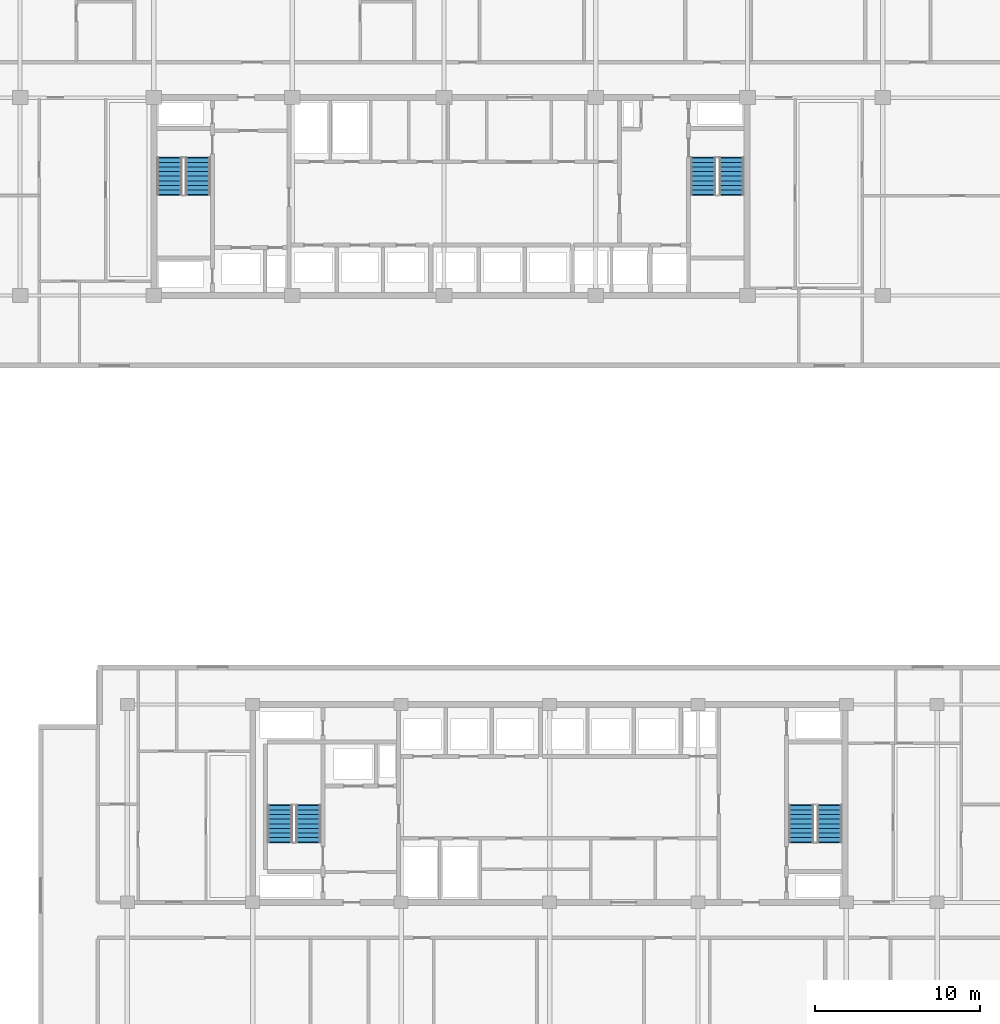
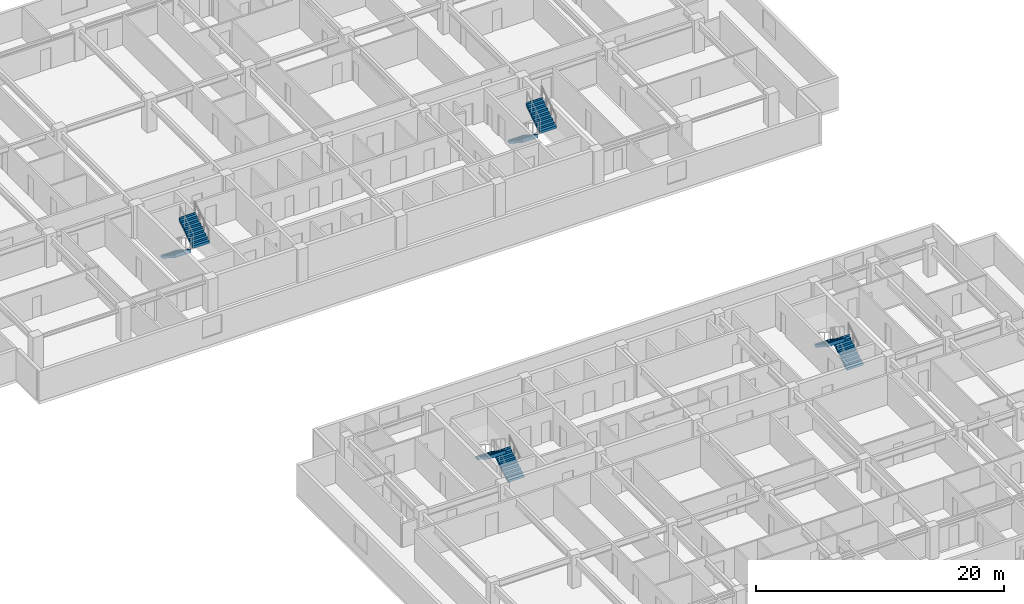
# One storey, part 17 of 22: 8 stair flights, 4 elements without a shape of their own.
"""IFC4 building model written with IfcOpenShell, lengths in metres."""

from ifc_helpers import new_model, si_unit, direction, frame, origin, place, context, subcontext, project, spatial, polyline, outline, extrude, material, type_object, element, aggregate, save


model = new_model("IFC4")

# Units and contexts
model_context = context("Model", 3, precision=1e-05, world=origin(), true_north=direction((0.0, 1.0)))
body_context = subcontext(model_context, "Body", "Model", "MODEL_VIEW")
ifc_project = project(units=[si_unit("LENGTHUNIT", "METRE"), si_unit("AREAUNIT", "SQUARE_METRE"), si_unit("VOLUMEUNIT", "CUBIC_METRE"), si_unit("PLANEANGLEUNIT", "RADIAN"), si_unit("MASSUNIT", "GRAM", prefix="KILO")], contexts=[model_context])

# Site, building, storey
site_placement = place(None, origin())
site = spatial("IfcSite", under=ifc_project, at=site_placement, CompositionType="ELEMENT")
building_placement = place(site_placement, origin())
building = spatial("IfcBuilding", under=site, at=building_placement, Name="Korimba Cascade Residences", CompositionType="ELEMENT")
storey_placement = place(building_placement, frame((0.0, 0.0, 90.550048828125)))
storey = spatial("IfcBuildingStorey", under=building, at=storey_placement, Name="L25", CompositionType="ELEMENT", Elevation=90.550048828125)

# Stair, stair flights
ifc_material = material(Name="Concrete C50/60", Category="concrete")
stair_type_1 = type_object("IfcStairType", Name="STR-W1-18R-1806", PredefinedType="HALF_TURN_STAIR", material=ifc_material)
stair_1_placement = place(storey_placement, origin())
stair_1 = element("IfcStair", 1, at=stair_1_placement, inside=storey, type_object=stair_type_1, Name="L25 Tower 1 West Fire Stair ST-W1", PredefinedType="HALF_TURN_STAIR")
stair_flight_type = type_object("IfcStairFlightType", Name="STF-DL-18R-1806-1520", PredefinedType="STRAIGHT", material=ifc_material)
stair_flight_1_placement = place(storey_placement, frame((77.06005859375, 63.550048828125, 0.0), z_axis=(0.0, 0.0, 1.0), x_axis=(0.0, -1.0, 0.0)))
stair_flight_1 = element("IfcStairFlight", 2, at=stair_flight_1_placement, type_object=stair_flight_type, Name="ST-W1 flight 1", NumberOfRisers=9, NumberOfTreads=8, PredefinedType="STRAIGHT", RiserHeight=0.180555556, TreadLength=0.28, context=body_context, shape_type="SweptSolid", body=[
    extrude(outline(polyline([(-0.0380859375, 0.0), (0.0, 0.1806640625), (0.280029296875, 0.1806640625), (0.280029296875, 0.361083984375), (0.56005859375, 0.361083984375), (0.56005859375, 0.541748046875), (0.840087890625, 0.541748046875), (0.840087890625, 0.72216796875), (1.1201171875, 0.72216796875), (1.1201171875, 0.90283203125), (1.39990234375, 0.90283203125), (1.39990234375, 1.083251953125), (1.679931640625, 1.083251953125), (1.679931640625, 1.263916015625), (1.9599609375, 1.263916015625), (1.9599609375, 1.4443359375), (2.239990234375, 1.4443359375), (2.239990234375, 1.625), (2.278076171875, 1.625), (2.278076171875, 1.26611328125), (0.276611328125, 0.0), (0.276611328125, -0.0380859375), (-0.0380859375, -0.0380859375), (-0.0380859375, 0.0)])), frame((0.0, 0.760009765625, 0.0), z_axis=(0.0, -1.0, 0.0), x_axis=(1.0, 0.0, 0.0)), (0.0, 0.0, 1.0), 1.52001953125),
])
stair_flight_2_placement = place(storey_placement, frame((78.780029296875, 61.31005859375, 1.625), z_axis=(0.0, 0.0, 1.0), x_axis=(0.0, 1.0, 0.0)))
stair_flight_2 = element("IfcStairFlight", 3, at=stair_flight_2_placement, type_object=stair_flight_type, Name="ST-W1 flight 2", NumberOfRisers=9, NumberOfTreads=8, PredefinedType="STRAIGHT", RiserHeight=0.180555556, TreadLength=0.28, context=body_context, shape_type="SweptSolid", body=[
    extrude(outline(polyline([(-0.0380859375, 0.0), (0.0, 0.1806640625), (0.280029296875, 0.1806640625), (0.280029296875, 0.361083984375), (0.56005859375, 0.361083984375), (0.56005859375, 0.541748046875), (0.840087890625, 0.541748046875), (0.840087890625, 0.72216796875), (1.1201171875, 0.72216796875), (1.1201171875, 0.90283203125), (1.39990234375, 0.90283203125), (1.39990234375, 1.083251953125), (1.679931640625, 1.083251953125), (1.679931640625, 1.263916015625), (1.9599609375, 1.263916015625), (1.9599609375, 1.4443359375), (2.239990234375, 1.4443359375), (2.239990234375, 1.625), (2.278076171875, 1.625), (2.278076171875, 1.26611328125), (0.276611328125, 0.0), (0.276611328125, -0.0380859375), (-0.0380859375, -0.0380859375), (-0.0380859375, 0.0)])), frame((0.0, 0.760009765625, 0.0), z_axis=(0.0, -1.0, 0.0), x_axis=(1.0, 0.0, 0.0)), (0.0, 0.0, 1.0), 1.52001953125),
])
aggregate(stair_1, [stair_flight_1, stair_flight_2])

stair_type_2 = type_object("IfcStairType", Name="STR-W2-18R-1806", PredefinedType="HALF_TURN_STAIR", material=ifc_material)
stair_2_placement = place(storey_placement, origin())
stair_2 = element("IfcStair", 4, at=stair_2_placement, inside=storey, type_object=stair_type_2, Name="L25 Tower 1 East Fire Stair ST-W2", PredefinedType="HALF_TURN_STAIR")
stair_flight_3_placement = place(storey_placement, frame((109.419921875, 63.550048828125, 0.0), z_axis=(0.0, 0.0, 1.0), x_axis=(0.0, -1.0, 0.0)))
stair_flight_3 = element("IfcStairFlight", 5, at=stair_flight_3_placement, type_object=stair_flight_type, Name="ST-W2 flight 1", NumberOfRisers=9, NumberOfTreads=8, PredefinedType="STRAIGHT", RiserHeight=0.180555556, TreadLength=0.28, context=body_context, shape_type="SweptSolid", body=[
    extrude(outline(polyline([(-0.0380859375, 0.0), (0.0, 0.1806640625), (0.280029296875, 0.1806640625), (0.280029296875, 0.361083984375), (0.56005859375, 0.361083984375), (0.56005859375, 0.541748046875), (0.840087890625, 0.541748046875), (0.840087890625, 0.72216796875), (1.1201171875, 0.72216796875), (1.1201171875, 0.90283203125), (1.39990234375, 0.90283203125), (1.39990234375, 1.083251953125), (1.679931640625, 1.083251953125), (1.679931640625, 1.263916015625), (1.9599609375, 1.263916015625), (1.9599609375, 1.4443359375), (2.239990234375, 1.4443359375), (2.239990234375, 1.625), (2.278076171875, 1.625), (2.278076171875, 1.26611328125), (0.276611328125, 0.0), (0.276611328125, -0.0380859375), (-0.0380859375, -0.0380859375), (-0.0380859375, 0.0)])), frame((0.0, 0.760009765625, 0.0), z_axis=(0.0, -1.0, 0.0), x_axis=(1.0, 0.0, 0.0)), (0.0, 0.0, 1.0), 1.52001953125),
])
stair_flight_4_placement = place(storey_placement, frame((111.139892578125, 61.31005859375, 1.625), z_axis=(0.0, 0.0, 1.0), x_axis=(0.0, 1.0, 0.0)))
stair_flight_4 = element("IfcStairFlight", 6, at=stair_flight_4_placement, type_object=stair_flight_type, Name="ST-W2 flight 2", NumberOfRisers=9, NumberOfTreads=8, PredefinedType="STRAIGHT", RiserHeight=0.180555556, TreadLength=0.28, context=body_context, shape_type="SweptSolid", body=[
    extrude(outline(polyline([(-0.0380859375, 0.0), (0.0, 0.1806640625), (0.280029296875, 0.1806640625), (0.280029296875, 0.361083984375), (0.56005859375, 0.361083984375), (0.56005859375, 0.541748046875), (0.840087890625, 0.541748046875), (0.840087890625, 0.72216796875), (1.1201171875, 0.72216796875), (1.1201171875, 0.90283203125), (1.39990234375, 0.90283203125), (1.39990234375, 1.083251953125), (1.679931640625, 1.083251953125), (1.679931640625, 1.263916015625), (1.9599609375, 1.263916015625), (1.9599609375, 1.4443359375), (2.239990234375, 1.4443359375), (2.239990234375, 1.625), (2.278076171875, 1.625), (2.278076171875, 1.26611328125), (0.276611328125, 0.0), (0.276611328125, -0.0380859375), (-0.0380859375, -0.0380859375), (-0.0380859375, 0.0)])), frame((0.0, 0.760009765625, 0.0), z_axis=(0.0, -1.0, 0.0), x_axis=(1.0, 0.0, 0.0)), (0.0, 0.0, 1.0), 1.52001953125),
])
aggregate(stair_2, [stair_flight_3, stair_flight_4])

stair_type_3 = type_object("IfcStairType", Name="STR-E1-18R-1806", PredefinedType="HALF_TURN_STAIR", material=ifc_material)
stair_3_placement = place(storey_placement, origin())
stair_3 = element("IfcStair", 7, at=stair_3_placement, inside=storey, type_object=stair_type_3, Name="L25 Tower 2 West Fire Stair ST-E1", PredefinedType="HALF_TURN_STAIR")
stair_flight_5_placement = place(storey_placement, frame((85.47998046875, 22.050048828125, 0.0), z_axis=(0.0, 0.0, 1.0), x_axis=(0.0, 1.0, 0.0)))
stair_flight_5 = element("IfcStairFlight", 8, at=stair_flight_5_placement, type_object=stair_flight_type, Name="ST-E1 flight 1", NumberOfRisers=9, NumberOfTreads=8, PredefinedType="STRAIGHT", RiserHeight=0.180555556, TreadLength=0.28, context=body_context, shape_type="SweptSolid", body=[
    extrude(outline(polyline([(-0.0380859375, 0.0), (0.0, 0.1806640625), (0.280029296875, 0.1806640625), (0.280029296875, 0.361083984375), (0.56005859375, 0.361083984375), (0.56005859375, 0.541748046875), (0.840087890625, 0.541748046875), (0.840087890625, 0.72216796875), (1.1201171875, 0.72216796875), (1.1201171875, 0.90283203125), (1.39990234375, 0.90283203125), (1.39990234375, 1.083251953125), (1.679931640625, 1.083251953125), (1.679931640625, 1.263916015625), (1.9599609375, 1.263916015625), (1.9599609375, 1.4443359375), (2.239990234375, 1.4443359375), (2.239990234375, 1.625), (2.278076171875, 1.625), (2.278076171875, 1.26611328125), (0.276611328125, 0.0), (0.276611328125, -0.0380859375), (-0.0380859375, -0.0380859375), (-0.0380859375, 0.0)])), frame((0.0, 0.760009765625, 0.0), z_axis=(0.0, -1.0, 0.0), x_axis=(1.0, 0.0, 0.0)), (0.0, 0.0, 1.0), 1.52001953125),
])
stair_flight_6_placement = place(storey_placement, frame((83.760009765625, 24.2900390625, 1.625), z_axis=(0.0, 0.0, 1.0), x_axis=(0.0, -1.0, 0.0)))
stair_flight_6 = element("IfcStairFlight", 9, at=stair_flight_6_placement, type_object=stair_flight_type, Name="ST-E1 flight 2", NumberOfRisers=9, NumberOfTreads=8, PredefinedType="STRAIGHT", RiserHeight=0.180555556, TreadLength=0.28, context=body_context, shape_type="SweptSolid", body=[
    extrude(outline(polyline([(-0.0380859375, 0.0), (0.0, 0.1806640625), (0.280029296875, 0.1806640625), (0.280029296875, 0.361083984375), (0.56005859375, 0.361083984375), (0.56005859375, 0.541748046875), (0.840087890625, 0.541748046875), (0.840087890625, 0.72216796875), (1.1201171875, 0.72216796875), (1.1201171875, 0.90283203125), (1.39990234375, 0.90283203125), (1.39990234375, 1.083251953125), (1.679931640625, 1.083251953125), (1.679931640625, 1.263916015625), (1.9599609375, 1.263916015625), (1.9599609375, 1.4443359375), (2.239990234375, 1.4443359375), (2.239990234375, 1.625), (2.278076171875, 1.625), (2.278076171875, 1.26611328125), (0.276611328125, 0.0), (0.276611328125, -0.0380859375), (-0.0380859375, -0.0380859375), (-0.0380859375, 0.0)])), frame((0.0, 0.760009765625, 0.0), z_axis=(0.0, -1.0, 0.0), x_axis=(1.0, 0.0, 0.0)), (0.0, 0.0, 1.0), 1.52001953125),
])
aggregate(stair_3, [stair_flight_5, stair_flight_6])

stair_type_4 = type_object("IfcStairType", Name="STR-E2-18R-1806", PredefinedType="HALF_TURN_STAIR", material=ifc_material)
stair_4_placement = place(storey_placement, origin())
stair_4 = element("IfcStair", 10, at=stair_4_placement, inside=storey, type_object=stair_type_4, Name="L25 Tower 2 East Fire Stair ST-E2", PredefinedType="HALF_TURN_STAIR")
stair_flight_7_placement = place(storey_placement, frame((117.080078125, 22.050048828125, 0.0), z_axis=(0.0, 0.0, 1.0), x_axis=(0.0, 1.0, 0.0)))
stair_flight_7 = element("IfcStairFlight", 11, at=stair_flight_7_placement, type_object=stair_flight_type, Name="ST-E2 flight 1", NumberOfRisers=9, NumberOfTreads=8, PredefinedType="STRAIGHT", RiserHeight=0.180555556, TreadLength=0.28, context=body_context, shape_type="SweptSolid", body=[
    extrude(outline(polyline([(-0.0380859375, 0.0), (0.0, 0.1806640625), (0.280029296875, 0.1806640625), (0.280029296875, 0.361083984375), (0.56005859375, 0.361083984375), (0.56005859375, 0.541748046875), (0.840087890625, 0.541748046875), (0.840087890625, 0.72216796875), (1.1201171875, 0.72216796875), (1.1201171875, 0.90283203125), (1.39990234375, 0.90283203125), (1.39990234375, 1.083251953125), (1.679931640625, 1.083251953125), (1.679931640625, 1.263916015625), (1.9599609375, 1.263916015625), (1.9599609375, 1.4443359375), (2.239990234375, 1.4443359375), (2.239990234375, 1.625), (2.278076171875, 1.625), (2.278076171875, 1.26611328125), (0.276611328125, 0.0), (0.276611328125, -0.0380859375), (-0.0380859375, -0.0380859375), (-0.0380859375, 0.0)])), frame((0.0, 0.760009765625, 0.0), z_axis=(0.0, -1.0, 0.0), x_axis=(1.0, 0.0, 0.0)), (0.0, 0.0, 1.0), 1.52001953125),
])
stair_flight_8_placement = place(storey_placement, frame((115.360107421875, 24.2900390625, 1.625), z_axis=(0.0, 0.0, 1.0), x_axis=(0.0, -1.0, 0.0)))
stair_flight_8 = element("IfcStairFlight", 12, at=stair_flight_8_placement, type_object=stair_flight_type, Name="ST-E2 flight 2", NumberOfRisers=9, NumberOfTreads=8, PredefinedType="STRAIGHT", RiserHeight=0.180555556, TreadLength=0.28, context=body_context, shape_type="SweptSolid", body=[
    extrude(outline(polyline([(-0.0380859375, 0.0), (0.0, 0.1806640625), (0.280029296875, 0.1806640625), (0.280029296875, 0.361083984375), (0.56005859375, 0.361083984375), (0.56005859375, 0.541748046875), (0.840087890625, 0.541748046875), (0.840087890625, 0.72216796875), (1.1201171875, 0.72216796875), (1.1201171875, 0.90283203125), (1.39990234375, 0.90283203125), (1.39990234375, 1.083251953125), (1.679931640625, 1.083251953125), (1.679931640625, 1.263916015625), (1.9599609375, 1.263916015625), (1.9599609375, 1.4443359375), (2.239990234375, 1.4443359375), (2.239990234375, 1.625), (2.278076171875, 1.625), (2.278076171875, 1.26611328125), (0.276611328125, 0.0), (0.276611328125, -0.0380859375), (-0.0380859375, -0.0380859375), (-0.0380859375, 0.0)])), frame((0.0, 0.760009765625, 0.0), z_axis=(0.0, -1.0, 0.0), x_axis=(1.0, 0.0, 0.0)), (0.0, 0.0, 1.0), 1.52001953125),
])
aggregate(stair_4, [stair_flight_7, stair_flight_8])

save(model, "model.ifc")
